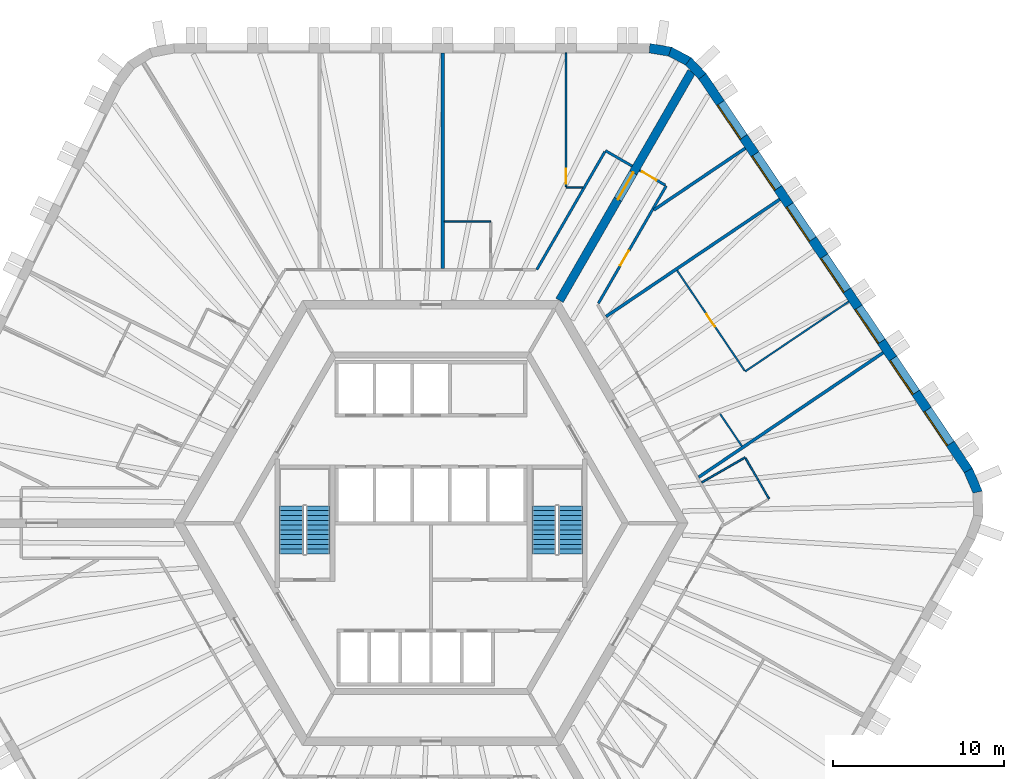
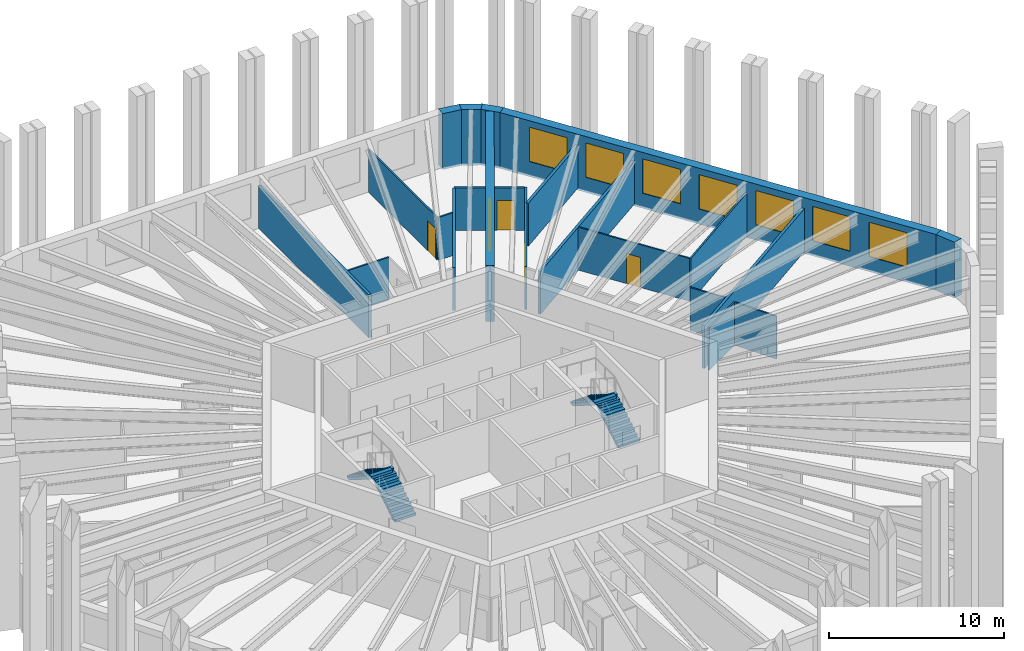
# One storey, part 8 of 9: 22 walls, 7 windows, 5 doors, 4 stair flights, 12 openings, 2 elements without a shape of their own.
"""IFC4 building model written with IfcOpenShell, lengths in metres."""

from ifc_helpers import new_model, si_unit, direction, frame, frame_2d, origin, place, context, subcontext, project, spatial, polyline, rectangle, outline, extrude, material, layer, layer_set, type_object, element, fill, aggregate, save


model = new_model("IFC4")

# Units and contexts
model_context = context("Model", 3, precision=1e-05, world=origin(), true_north=direction((0.0, 1.0)))
body_context = subcontext(model_context, "Body", "Model", "MODEL_VIEW")
ifc_project = project(units=[si_unit("LENGTHUNIT", "METRE"), si_unit("AREAUNIT", "SQUARE_METRE"), si_unit("VOLUMEUNIT", "CUBIC_METRE"), si_unit("PLANEANGLEUNIT", "RADIAN"), si_unit("MASSUNIT", "GRAM", prefix="KILO")], contexts=[model_context])

# Site, building, storey
site_placement = place(None, origin())
site = spatial("IfcSite", under=ifc_project, at=site_placement, CompositionType="ELEMENT")
building_placement = place(site_placement, origin())
building = spatial("IfcBuilding", under=site, at=building_placement, Name="Tarnside Tower", CompositionType="ELEMENT")
storey_placement = place(building_placement, frame((0.0, 0.0, 215.10009765625)))
storey = spatial("IfcBuildingStorey", under=building, at=storey_placement, Name="L51", CompositionType="ELEMENT", Elevation=215.10009765625)

# Walls
ifc_material_1 = material(Name="Gypsum board partition on steel studs", Category="steel")
ifc_layer_1 = layer(ifc_material_1, 0.10009765625)
ifc_layer_set_1 = layer_set([ifc_layer_1], Name="Bathroom wall 100")
wall_type_1 = type_object("IfcWallType", Name="Bathroom wall 100", PredefinedType="PARTITIONING", material=ifc_layer_set_1)
wall_1_placement = place(storey_placement, frame((0.772216796875, 17.60009765625, 0.0), z_axis=(0.0, 0.0, 1.0), x_axis=(1.0, 0.0, 0.0)))
element("IfcWall", 1, at=wall_1_placement, inside=storey, type_object=wall_type_1, Name="Bathroom wall 17046", PredefinedType="PARTITIONING", context=body_context, shape_type="SweptSolid", body=[
    extrude(rectangle(XDim=2.7099609375, YDim=0.10009765625, at=frame_2d((1.35498046875, 0.0))), origin(), (0.0, 0.0, 1.0), 2.98779296875),
])
wall_2_placement = place(storey_placement, frame((15.806640625, 2.3720703125, 0.0), z_axis=(0.0, 0.0, 1.0), x_axis=(0.86601045545, 0.500025890382, 0.0)))
element("IfcWall", 2, at=wall_2_placement, inside=storey, type_object=wall_type_1, Name="Bathroom wall 17089", PredefinedType="PARTITIONING", context=body_context, shape_type="SweptSolid", body=[
    extrude(rectangle(XDim=2.925048828125, YDim=0.10009765625, at=frame_2d((1.46240234375, 0.0))), origin(), (0.0, 0.0, 1.0), 2.98779296875),
])
wall_3_placement = place(storey_placement, frame((18.36474609375, 3.791259765625, 0.0), z_axis=(0.0, 0.0, 1.0), x_axis=(0.499996545922, -0.866027397988, 0.0)))
element("IfcWall", 3, at=wall_3_placement, inside=storey, type_object=wall_type_1, Name="Bathroom wall 17090", PredefinedType="PARTITIONING", context=body_context, shape_type="SweptSolid", body=[
    extrude(rectangle(XDim=2.75, YDim=0.10009765625, at=frame_2d((1.375, 0.0))), origin(), (0.0, 0.0, 1.0), 2.98779296875),
])
wall_4_placement = place(storey_placement, frame((16.886962890625, 6.36279296875, 0.0), z_axis=(0.0, 0.0, 1.0), x_axis=(0.559179660023, -0.829046505219, 0.0)))
element("IfcWall", 4, at=wall_4_placement, inside=storey, type_object=wall_type_1, Name="Bathroom wall 17095", PredefinedType="PARTITIONING", context=body_context, shape_type="SweptSolid", body=[
    extrude(rectangle(XDim=2.259765625, YDim=0.10009765625, at=frame_2d((1.1298828125, 0.0))), origin(), (0.0, 0.0, 1.0), 2.98779296875),
])

# Wall, opening, door
ifc_material_2 = material(Name="Concrete C70/85", Category="concrete")
ifc_layer_2 = layer(ifc_material_2, 0.5)
ifc_layer_set_2 = layer_set([ifc_layer_2], Name="Core wall Z2 500 C70/85")
wall_type_2 = type_object("IfcWallType", Name="Core wall Z2 500 C70/85", PredefinedType="SHEAR", material=ifc_layer_set_2)
wall_5_placement = place(storey_placement, frame((7.505615234375, 13.0, -0.150146484375), z_axis=(0.0, 0.0, 1.0), x_axis=(0.499988271576, 0.866032175087, 0.0)))
wall_5 = element("IfcWall", 5, at=wall_5_placement, inside=storey, type_object=wall_type_2, Name="L51 spine wall 1", PredefinedType="SHEAR", context=body_context, shape_type="SweptSolid", body=[
    extrude(rectangle(XDim=15.423583984375, YDim=0.5, at=frame_2d((7.7119140625, 0.0))), origin(), (0.0, 0.0, 1.0), 3.900146484375),
])
opening_1_placement = place(wall_5_placement, frame((6.811767578125, 0.0, 0.14990234375)))
opening_1 = element("IfcOpeningElement", 6, at=opening_1_placement, cuts=wall_5, Name="Opening CD-SPN", PredefinedType="OPENING", context=body_context, shape_type="SweptSolid", body=[
    extrude(rectangle(XDim=1.800048828125, YDim=2.39990234375, at=frame_2d((0.89990234375, 1.199951171875))), frame((0.0, 0.260009765625, 0.0), z_axis=(0.0, -1.0, 0.0), x_axis=(1.0, 0.0, 0.0)), (0.0, 0.0, 1.0), 0.52001953125),
])
ifc_material_3 = material(Name="Steel fire door", Category="steel")
door_type_1 = type_object("IfcDoorType", Name="Spine passage double door FD60 1800x2400", OperationType="NOTDEFINED", PredefinedType="DOOR", material=ifc_material_3)
door_1_placement = place(opening_1_placement, origin())
door_1 = element("IfcDoor", 7, at=door_1_placement, inside=storey, type_object=door_type_1, Name="L51 spine passage door 1", OperationType="DOUBLE_DOOR_SINGLE_SWING", OverallHeight=2.39990234375, OverallWidth=1.800048828125, PredefinedType="DOOR", context=body_context, shape_type="SweptSolid", body=[
    extrude(rectangle(XDim=1.800048828125, YDim=2.39990234375, at=frame_2d((0.89990234375, 1.199951171875))), frame((0.0, 0.02490234375, 0.0), z_axis=(0.0, -1.0, 0.0), x_axis=(1.0, 0.0, 0.0)), (0.0, 0.0, 1.0), 0.050048828125),
])
fill(opening_1, door_1)

# Walls
ifc_layer_3 = layer(ifc_material_1, 0.14990234375)
ifc_layer_set_3 = layer_set([ifc_layer_3], Name="Corridor wall 150 EI 60")
wall_type_3 = type_object("IfcWallType", Name="Corridor wall 150 EI 60", PredefinedType="PARTITIONING", material=ifc_layer_set_3)
wall_6_placement = place(storey_placement, frame((10.148681640625, 21.677978515625, 0.0), z_axis=(0.0, 0.0, 1.0), x_axis=(-0.499997422768, -0.866026891745, 0.0)))
element("IfcWall", 8, at=wall_6_placement, inside=storey, type_object=wall_type_3, Name="Corridor wall 17001", PredefinedType="PARTITIONING", context=body_context, shape_type="SweptSolid", body=[
    extrude(rectangle(XDim=7.94189453125, YDim=0.14990234375, at=frame_2d((3.970947265625, 0.0))), origin(), (0.0, 0.0, 1.0), 2.98779296875),
])
wall_7_placement = place(storey_placement, frame((11.744873046875, 20.8427734375, 0.0), z_axis=(0.0, 0.0, 1.0), x_axis=(-0.865989075817, 0.500062916607, 0.0)))
element("IfcWall", 9, at=wall_7_placement, inside=storey, type_object=wall_type_3, Name="Corridor wall 17004", PredefinedType="PARTITIONING", context=body_context, shape_type="SweptSolid", body=[
    extrude(rectangle(XDim=1.800048828125, YDim=0.14990234375, at=frame_2d((0.89990234375, 0.0))), origin(), (0.0, 0.0, 1.0), 2.98779296875),
])

# Wall, opening, door
wall_8_placement = place(storey_placement, frame((9.771728515625, 12.824951171875, 0.0), z_axis=(0.0, 0.0, 1.0), x_axis=(0.499989830942, 0.866031274813, 0.0)))
wall_8 = element("IfcWall", 10, at=wall_8_placement, inside=storey, type_object=wall_type_3, Name="Corridor wall 17043", PredefinedType="PARTITIONING", context=body_context, shape_type="SweptSolid", body=[
    extrude(rectangle(XDim=7.930419921875, YDim=0.14990234375, at=frame_2d((3.96533203125, 0.0))), origin(), (0.0, 0.0, 1.0), 2.98779296875),
])
opening_2_placement = place(wall_8_placement, frame((2.552001953125, 0.0, 0.0)))
opening_2 = element("IfcOpeningElement", 11, at=opening_2_placement, cuts=wall_8, Name="Opening D-E1", PredefinedType="OPENING", context=body_context, shape_type="SweptSolid", body=[
    extrude(rectangle(XDim=1.0, YDim=2.10009765625, at=frame_2d((0.5, 1.050048828125))), frame((0.0, 0.0849609375, 0.0), z_axis=(0.0, -1.0, 0.0), x_axis=(1.0, 0.0, 0.0)), (0.0, 0.0, 1.0), 0.169921875),
])
ifc_material_4 = material(Name="Timber door leaf", Category="wood")
door_type_2 = type_object("IfcDoorType", Name="Unit entrance door 1000 FD30S", OperationType="NOTDEFINED", PredefinedType="DOOR", material=ifc_material_4)
door_2_placement = place(opening_2_placement, origin())
door_2 = element("IfcDoor", 12, at=door_2_placement, inside=storey, type_object=door_type_2, Name="Unit door 17032", OperationType="SINGLE_SWING_RIGHT", OverallHeight=2.10009765625, OverallWidth=1.0, PredefinedType="DOOR", context=body_context, shape_type="SweptSolid", body=[
    extrude(rectangle(XDim=1.0, YDim=2.10009765625, at=frame_2d((0.5, 1.050048828125))), frame((0.0, 0.02490234375, 0.0), z_axis=(0.0, -1.0, 0.0), x_axis=(1.0, 0.0, 0.0)), (0.0, 0.0, 1.0), 0.050048828125),
])
fill(opening_2, door_2)

wall_9_placement = place(storey_placement, frame((13.671875, 19.73046875, 0.0), z_axis=(0.0, 0.0, 1.0), x_axis=(-0.866074815912, 0.499914405916, 0.0)))
wall_9 = element("IfcWall", 13, at=wall_9_placement, inside=storey, type_object=wall_type_3, Name="Corridor wall 17045", PredefinedType="PARTITIONING", context=body_context, shape_type="SweptSolid", body=[
    extrude(rectangle(XDim=1.724853515625, YDim=0.14990234375, at=frame_2d((0.8623046875, 0.0))), origin(), (0.0, 0.0, 1.0), 2.98779296875),
])
opening_3_placement = place(wall_9_placement, frame((0.574951171875, 0.0, 0.0)))
opening_3 = element("IfcOpeningElement", 14, at=opening_3_placement, cuts=wall_9, Name="Opening D-E1", PredefinedType="OPENING", context=body_context, shape_type="SweptSolid", body=[
    extrude(rectangle(XDim=1.0, YDim=2.10009765625, at=frame_2d((0.5, 1.050048828125))), frame((0.0, 0.0849609375, 0.0), z_axis=(0.0, -1.0, 0.0), x_axis=(1.0, 0.0, 0.0)), (0.0, 0.0, 1.0), 0.169921875),
])
door_3_placement = place(opening_3_placement, origin())
door_3 = element("IfcDoor", 15, at=door_3_placement, inside=storey, type_object=door_type_2, Name="Unit door 17033", OperationType="SINGLE_SWING_LEFT", OverallHeight=2.10009765625, OverallWidth=1.0, PredefinedType="DOOR", context=body_context, shape_type="SweptSolid", body=[
    extrude(rectangle(XDim=1.0, YDim=2.10009765625, at=frame_2d((0.5, 1.050048828125))), frame((0.0, 0.02490234375, 0.0), z_axis=(0.0, -1.0, 0.0), x_axis=(1.0, 0.0, 0.0)), (0.0, 0.0, 1.0), 0.050048828125),
])
fill(opening_3, door_3)

# Walls
ifc_layer_4 = layer(ifc_material_1, 0.179931640625)
ifc_layer_set_4 = layer_set([ifc_layer_4], Name="Demising wall 180 EI 60")
wall_type_4 = type_object("IfcWallType", Name="Demising wall 180 EI 60", PredefinedType="PARTITIONING", material=ifc_layer_set_4)
wall_10_placement = place(storey_placement, frame((0.68212890625, 27.449951171875, 0.0), z_axis=(0.0, 0.0, 1.0), x_axis=(0.0, -1.0, 0.0)))
element("IfcWall", 16, at=wall_10_placement, inside=storey, type_object=wall_type_4, Name="Demising wall 17050", PredefinedType="PARTITIONING", context=body_context, shape_type="SweptSolid", body=[
    extrude(rectangle(XDim=12.574951171875, YDim=0.179931640625, at=frame_2d((6.28759765625, 0.0))), origin(), (0.0, 0.0, 1.0), 2.98779296875),
])
wall_11_placement = place(storey_placement, frame((26.40185546875, 9.9462890625, 0.0), z_axis=(0.0, 0.0, 1.0), x_axis=(-0.829032022697, -0.559201131386, 0.0)))
element("IfcWall", 17, at=wall_11_placement, inside=storey, type_object=wall_type_4, Name="Demising wall 17092", PredefinedType="PARTITIONING", context=body_context, shape_type="SweptSolid", body=[
    extrude(rectangle(XDim=12.99462890625, YDim=0.179931640625, at=frame_2d((6.497314453125, 0.0))), origin(), (0.0, 0.0, 1.0), 2.98779296875),
])
wall_12_placement = place(storey_placement, frame((20.362548828125, 18.89990234375, 0.0), z_axis=(0.0, 0.0, 1.0), x_axis=(-0.829030622766, -0.559203206819, 0.0)))
element("IfcWall", 18, at=wall_12_placement, inside=storey, type_object=wall_type_4, Name="Demising wall 17098", PredefinedType="PARTITIONING", context=body_context, shape_type="SweptSolid", body=[
    extrude(rectangle(XDim=12.2392578125, YDim=0.179931640625, at=frame_2d((6.11962890625, 0.0))), origin(), (0.0, 0.0, 1.0), 2.98779296875),
])
wall_13_placement = place(storey_placement, frame((18.349609375, 21.88427734375, 0.0), z_axis=(0.0, 0.0, 1.0), x_axis=(-0.829047205772, -0.559178621374, 0.0)))
element("IfcWall", 19, at=wall_13_placement, inside=storey, type_object=wall_type_4, Name="Demising wall 17100", PredefinedType="PARTITIONING", context=body_context, shape_type="SweptSolid", body=[
    extrude(rectangle(XDim=6.442138671875, YDim=0.179931640625, at=frame_2d((3.22119140625, 0.0))), origin(), (0.0, 0.0, 1.0), 2.98779296875),
])
ifc_layer_5 = layer(ifc_material_1, 0.10009765625)
ifc_layer_set_5 = layer_set([ifc_layer_5], Name="Partition 100")
wall_type_5 = type_object("IfcWallType", Name="Partition 100", PredefinedType="PARTITIONING", material=ifc_layer_set_5)
wall_14_placement = place(storey_placement, frame((8.8623046875, 19.60009765625, 0.0), z_axis=(0.0, 0.0, 1.0), x_axis=(-1.0, 0.0, 0.0)))
element("IfcWall", 20, at=wall_14_placement, inside=storey, type_object=wall_type_5, Name="Partition wall 17048", PredefinedType="PARTITIONING", context=body_context, shape_type="SweptSolid", body=[
    extrude(rectangle(XDim=0.980224609375, YDim=0.10009765625, at=frame_2d((0.490234375, 0.0))), origin(), (0.0, 0.0, 1.0), 2.98779296875),
])

# Wall, opening, door
wall_15_placement = place(storey_placement, frame((7.882080078125, 19.64990234375, 0.0), z_axis=(0.0, 0.0, 1.0), x_axis=(0.0, 1.0, 0.0)))
wall_15 = element("IfcWall", 21, at=wall_15_placement, inside=storey, type_object=wall_type_5, Name="Partition wall 17049", PredefinedType="PARTITIONING", context=body_context, shape_type="SweptSolid", body=[
    extrude(rectangle(XDim=7.800048828125, YDim=0.10009765625, at=frame_2d((3.89990234375, 0.0))), origin(), (0.0, 0.0, 1.0), 2.98779296875),
])
opening_4_placement = place(wall_15_placement, frame((0.14990234375, 0.0, 0.0)))
opening_4 = element("IfcOpeningElement", 22, at=opening_4_placement, cuts=wall_15, Name="Opening D-I1", PredefinedType="OPENING", context=body_context, shape_type="SweptSolid", body=[
    extrude(rectangle(XDim=0.89990234375, YDim=2.10009765625, at=frame_2d((0.449951171875, 1.050048828125))), frame((0.0, 0.06005859375, 0.0), z_axis=(0.0, -1.0, 0.0), x_axis=(1.0, 0.0, 0.0)), (0.0, 0.0, 1.0), 0.1201171875),
])
door_type_3 = type_object("IfcDoorType", Name="Internal door 900", OperationType="NOTDEFINED", PredefinedType="DOOR", material=ifc_material_4)
door_4_placement = place(opening_4_placement, origin())
door_4 = element("IfcDoor", 23, at=door_4_placement, inside=storey, type_object=door_type_3, Name="Internal door 17003", OperationType="SINGLE_SWING_RIGHT", OverallHeight=2.10009765625, OverallWidth=0.89990234375, PredefinedType="DOOR", context=body_context, shape_type="SweptSolid", body=[
    extrude(rectangle(XDim=0.89990234375, YDim=2.10009765625, at=frame_2d((0.449951171875, 1.050048828125))), frame((0.0, 0.02490234375, 0.0), z_axis=(0.0, -1.0, 0.0), x_axis=(1.0, 0.0, 0.0)), (0.0, 0.0, 1.0), 0.050048828125),
])
fill(opening_4, door_4)

# Wall
wall_16_placement = place(storey_placement, frame((24.388671875, 12.9306640625, 0.0), z_axis=(0.0, 0.0, 1.0), x_axis=(-0.829029895244, -0.559204285383, 0.0)))
element("IfcWall", 24, at=wall_16_placement, inside=storey, type_object=wall_type_5, Name="Partition wall 17096", PredefinedType="PARTITIONING", context=body_context, shape_type="SweptSolid", body=[
    extrude(rectangle(XDim=7.291748046875, YDim=0.10009765625, at=frame_2d((3.64599609375, 0.0))), origin(), (0.0, 0.0, 1.0), 2.98779296875),
])

# Wall, opening, door
wall_17_placement = place(storey_placement, frame((18.3154296875, 8.89453125, 0.0), z_axis=(0.0, 0.0, 1.0), x_axis=(-0.559177045947, 0.829048268369, 0.0)))
wall_17 = element("IfcWall", 25, at=wall_17_placement, inside=storey, type_object=wall_type_5, Name="Partition wall 17097", PredefinedType="PARTITIONING", context=body_context, shape_type="SweptSolid", body=[
    extrude(rectangle(XDim=7.059814453125, YDim=0.10009765625, at=frame_2d((3.52978515625, 0.0))), origin(), (0.0, 0.0, 1.0), 2.98779296875),
])
opening_5_placement = place(wall_17_placement, frame((3.10009765625, 0.0, 0.0)))
opening_5 = element("IfcOpeningElement", 26, at=opening_5_placement, cuts=wall_17, Name="Opening D-I1", PredefinedType="OPENING", context=body_context, shape_type="SweptSolid", body=[
    extrude(rectangle(XDim=0.89990234375, YDim=2.10009765625, at=frame_2d((0.449951171875, 1.050048828125))), frame((0.0, 0.06005859375, 0.0), z_axis=(0.0, -1.0, 0.0), x_axis=(1.0, 0.0, 0.0)), (0.0, 0.0, 1.0), 0.1201171875),
])
door_5_placement = place(opening_5_placement, origin())
door_5 = element("IfcDoor", 27, at=door_5_placement, inside=storey, type_object=door_type_3, Name="Internal door 17031", OperationType="SINGLE_SWING_LEFT", OverallHeight=2.10009765625, OverallWidth=0.89990234375, PredefinedType="DOOR", context=body_context, shape_type="SweptSolid", body=[
    extrude(rectangle(XDim=0.89990234375, YDim=2.10009765625, at=frame_2d((0.449951171875, 1.050048828125))), frame((0.0, 0.02490234375, 0.0), z_axis=(0.0, -1.0, 0.0), x_axis=(1.0, 0.0, 0.0)), (0.0, 0.0, 1.0), 0.050048828125),
])
fill(opening_5, door_5)

# Wall
ifc_material_5 = material(Name="Facing brick", Category="masonry")
ifc_layer_6 = layer(ifc_material_5, 0.10205078125)
ifc_material_6 = material(Name="Concrete C60/75 precast", Category="concrete")
ifc_layer_7 = layer(ifc_material_6, 0.347900390625)
ifc_material_7 = material(Name="Mineral wool insulation")
ifc_layer_8 = layer(ifc_material_7, 0.10009765625)
ifc_layer_set_6 = layer_set([ifc_layer_6, ifc_layer_7, ifc_layer_8], Name="Tube wall 550 brick faced")
wall_type_6 = type_object("IfcWallType", Name="Tube wall 550 brick faced", PredefinedType="SOLIDWALL", material=ifc_layer_set_6)
wall_18_placement = place(storey_placement, frame((31.91748046875, 1.804443359375, -0.150146484375), z_axis=(0.0, 0.0, 1.0), x_axis=(-0.396225741392, 0.918153125496, 0.0)))
element("IfcWall", 28, at=wall_18_placement, inside=storey, type_object=wall_type_6, Name="Tube wall L51 F5 chord 19", PredefinedType="SOLIDWALL", context=body_context, shape_type="SweptSolid", body=[
    extrude(outline(polyline([(-0.0517578125, -0.27490234375), (1.404541015625, -0.27490234375), (1.353271484375, 0.27490234375), (0.0517578125, 0.27490234375), (-0.0517578125, -0.27490234375)])), origin(), (0.0, 0.0, 1.0), 3.900146484375),
])

# Wall, openings, windows
wall_19_placement = place(storey_placement, frame((31.37109375, 3.070556640625, -0.150146484375), z_axis=(0.0, 0.0, 1.0), x_axis=(-0.559189891278, 0.829039604297, 0.0)))
wall_19 = element("IfcWall", 29, at=wall_19_placement, inside=storey, type_object=wall_type_6, Name="Tube wall L51 F6 flush 20", PredefinedType="SOLIDWALL", context=body_context, shape_type="SweptSolid", body=[
    extrude(outline(polyline([(-0.025634765625, -0.27490234375), (27.780517578125, -0.27490234375), (27.735595703125, 0.27490234375), (0.025634765625, 0.27490234375), (-0.025634765625, -0.27490234375)])), origin(), (0.0, 0.0, 1.0), 3.900146484375),
])
opening_6_placement = place(wall_19_placement, frame((1.87890625, 0.0, 1.050048828125)))
opening_6 = element("IfcOpeningElement", 30, at=opening_6_placement, cuts=wall_19, Name="Opening WH", PredefinedType="OPENING", context=body_context, shape_type="SweptSolid", body=[
    extrude(rectangle(XDim=2.39990234375, YDim=2.39990234375, at=frame_2d((1.199951171875, 1.199951171875))), frame((0.0, 0.28515625, 0.0), z_axis=(0.0, -1.0, 0.0), x_axis=(1.0, 0.0, 0.0)), (0.0, 0.0, 1.0), 0.570068359375),
])
opening_7_placement = place(wall_19_placement, frame((5.47900390625, 0.0, 1.050048828125)))
opening_7 = element("IfcOpeningElement", 31, at=opening_7_placement, cuts=wall_19, Name="Opening WH", PredefinedType="OPENING", context=body_context, shape_type="SweptSolid", body=[
    extrude(rectangle(XDim=2.39990234375, YDim=2.39990234375, at=frame_2d((1.199951171875, 1.199951171875))), frame((0.0, 0.28515625, 0.0), z_axis=(0.0, -1.0, 0.0), x_axis=(1.0, 0.0, 0.0)), (0.0, 0.0, 1.0), 0.570068359375),
])
opening_8_placement = place(wall_19_placement, frame((9.078857421875, 0.0, 1.050048828125)))
opening_8 = element("IfcOpeningElement", 32, at=opening_8_placement, cuts=wall_19, Name="Opening WH", PredefinedType="OPENING", context=body_context, shape_type="SweptSolid", body=[
    extrude(rectangle(XDim=2.39990234375, YDim=2.39990234375, at=frame_2d((1.199951171875, 1.199951171875))), frame((0.0, 0.28515625, 0.0), z_axis=(0.0, -1.0, 0.0), x_axis=(1.0, 0.0, 0.0)), (0.0, 0.0, 1.0), 0.570068359375),
])
opening_9_placement = place(wall_19_placement, frame((12.678955078125, 0.0, 1.050048828125)))
opening_9 = element("IfcOpeningElement", 33, at=opening_9_placement, cuts=wall_19, Name="Opening WH", PredefinedType="OPENING", context=body_context, shape_type="SweptSolid", body=[
    extrude(rectangle(XDim=2.39990234375, YDim=2.39990234375, at=frame_2d((1.199951171875, 1.199951171875))), frame((0.0, 0.28515625, 0.0), z_axis=(0.0, -1.0, 0.0), x_axis=(1.0, 0.0, 0.0)), (0.0, 0.0, 1.0), 0.570068359375),
])
opening_10_placement = place(wall_19_placement, frame((16.27880859375, 0.0, 1.050048828125)))
opening_10 = element("IfcOpeningElement", 34, at=opening_10_placement, cuts=wall_19, Name="Opening WH", PredefinedType="OPENING", context=body_context, shape_type="SweptSolid", body=[
    extrude(rectangle(XDim=2.39990234375, YDim=2.39990234375, at=frame_2d((1.199951171875, 1.199951171875))), frame((0.0, 0.28515625, 0.0), z_axis=(0.0, -1.0, 0.0), x_axis=(1.0, 0.0, 0.0)), (0.0, 0.0, 1.0), 0.570068359375),
])
opening_11_placement = place(wall_19_placement, frame((19.87890625, 0.0, 1.050048828125)))
opening_11 = element("IfcOpeningElement", 35, at=opening_11_placement, cuts=wall_19, Name="Opening WH", PredefinedType="OPENING", context=body_context, shape_type="SweptSolid", body=[
    extrude(rectangle(XDim=2.39990234375, YDim=2.39990234375, at=frame_2d((1.199951171875, 1.199951171875))), frame((0.0, 0.28515625, 0.0), z_axis=(0.0, -1.0, 0.0), x_axis=(1.0, 0.0, 0.0)), (0.0, 0.0, 1.0), 0.570068359375),
])
opening_12_placement = place(wall_19_placement, frame((23.47900390625, 0.0, 1.050048828125)))
opening_12 = element("IfcOpeningElement", 36, at=opening_12_placement, cuts=wall_19, Name="Opening WH", PredefinedType="OPENING", context=body_context, shape_type="SweptSolid", body=[
    extrude(rectangle(XDim=2.39990234375, YDim=2.39990234375, at=frame_2d((1.199951171875, 1.199951171875))), frame((0.0, 0.28515625, 0.0), z_axis=(0.0, -1.0, 0.0), x_axis=(1.0, 0.0, 0.0)), (0.0, 0.0, 1.0), 0.570068359375),
])
ifc_material_8 = material(Name="Aluminium-framed double glazing", Category="aluminium")
window_type = type_object("IfcWindowType", Name="Hotel window 2400 x 2400", PartitioningType="DOUBLE_PANEL_VERTICAL", PredefinedType="WINDOW", material=ifc_material_8)
window_1_placement = place(opening_6_placement, frame((0.0, 0.205078125, 0.0)))
window_1 = element("IfcWindow", 37, at=window_1_placement, inside=storey, type_object=window_type, Name="E.WN.L51.F6.00", OverallHeight=2.39990234375, OverallWidth=2.39990234375, PartitioningType="DOUBLE_PANEL_VERTICAL", PredefinedType="WINDOW", context=body_context, shape_type="SweptSolid", body=[
    extrude(rectangle(XDim=2.39990234375, YDim=2.39990234375, at=frame_2d((1.199951171875, 1.199951171875))), frame((0.0, 0.030029296875, 0.0), z_axis=(0.0, -1.0, 0.0), x_axis=(1.0, 0.0, 0.0)), (0.0, 0.0, 1.0), 0.06005859375),
])
fill(opening_6, window_1)
window_2_placement = place(opening_7_placement, frame((0.0, 0.205078125, 0.0)))
window_2 = element("IfcWindow", 38, at=window_2_placement, inside=storey, type_object=window_type, Name="E.WN.L51.F6.01", OverallHeight=2.39990234375, OverallWidth=2.39990234375, PartitioningType="DOUBLE_PANEL_VERTICAL", PredefinedType="WINDOW", context=body_context, shape_type="SweptSolid", body=[
    extrude(rectangle(XDim=2.39990234375, YDim=2.39990234375, at=frame_2d((1.199951171875, 1.199951171875))), frame((0.0, 0.030029296875, 0.0), z_axis=(0.0, -1.0, 0.0), x_axis=(1.0, 0.0, 0.0)), (0.0, 0.0, 1.0), 0.06005859375),
])
fill(opening_7, window_2)
window_3_placement = place(opening_8_placement, frame((0.0, 0.205078125, 0.0)))
window_3 = element("IfcWindow", 39, at=window_3_placement, inside=storey, type_object=window_type, Name="E.WN.L51.F6.02", OverallHeight=2.39990234375, OverallWidth=2.39990234375, PartitioningType="DOUBLE_PANEL_VERTICAL", PredefinedType="WINDOW", context=body_context, shape_type="SweptSolid", body=[
    extrude(rectangle(XDim=2.39990234375, YDim=2.39990234375, at=frame_2d((1.199951171875, 1.199951171875))), frame((0.0, 0.030029296875, 0.0), z_axis=(0.0, -1.0, 0.0), x_axis=(1.0, 0.0, 0.0)), (0.0, 0.0, 1.0), 0.06005859375),
])
fill(opening_8, window_3)
window_4_placement = place(opening_9_placement, frame((0.0, 0.205078125, 0.0)))
window_4 = element("IfcWindow", 40, at=window_4_placement, inside=storey, type_object=window_type, Name="E.WN.L51.F6.03", OverallHeight=2.39990234375, OverallWidth=2.39990234375, PartitioningType="DOUBLE_PANEL_VERTICAL", PredefinedType="WINDOW", context=body_context, shape_type="SweptSolid", body=[
    extrude(rectangle(XDim=2.39990234375, YDim=2.39990234375, at=frame_2d((1.199951171875, 1.199951171875))), frame((0.0, 0.030029296875, 0.0), z_axis=(0.0, -1.0, 0.0), x_axis=(1.0, 0.0, 0.0)), (0.0, 0.0, 1.0), 0.06005859375),
])
fill(opening_9, window_4)
window_5_placement = place(opening_10_placement, frame((0.0, 0.205078125, 0.0)))
window_5 = element("IfcWindow", 41, at=window_5_placement, inside=storey, type_object=window_type, Name="E.WN.L51.F6.04", OverallHeight=2.39990234375, OverallWidth=2.39990234375, PartitioningType="DOUBLE_PANEL_VERTICAL", PredefinedType="WINDOW", context=body_context, shape_type="SweptSolid", body=[
    extrude(rectangle(XDim=2.39990234375, YDim=2.39990234375, at=frame_2d((1.199951171875, 1.199951171875))), frame((0.0, 0.030029296875, 0.0), z_axis=(0.0, -1.0, 0.0), x_axis=(1.0, 0.0, 0.0)), (0.0, 0.0, 1.0), 0.06005859375),
])
fill(opening_10, window_5)
window_6_placement = place(opening_11_placement, frame((0.0, 0.205078125, 0.0)))
window_6 = element("IfcWindow", 42, at=window_6_placement, inside=storey, type_object=window_type, Name="E.WN.L51.F6.05", OverallHeight=2.39990234375, OverallWidth=2.39990234375, PartitioningType="DOUBLE_PANEL_VERTICAL", PredefinedType="WINDOW", context=body_context, shape_type="SweptSolid", body=[
    extrude(rectangle(XDim=2.39990234375, YDim=2.39990234375, at=frame_2d((1.199951171875, 1.199951171875))), frame((0.0, 0.030029296875, 0.0), z_axis=(0.0, -1.0, 0.0), x_axis=(1.0, 0.0, 0.0)), (0.0, 0.0, 1.0), 0.06005859375),
])
fill(opening_11, window_6)
window_7_placement = place(opening_12_placement, frame((0.0, 0.205078125, 0.0)))
window_7 = element("IfcWindow", 43, at=window_7_placement, inside=storey, type_object=window_type, Name="E.WN.L51.F6.06", OverallHeight=2.39990234375, OverallWidth=2.39990234375, PartitioningType="DOUBLE_PANEL_VERTICAL", PredefinedType="WINDOW", context=body_context, shape_type="SweptSolid", body=[
    extrude(rectangle(XDim=2.39990234375, YDim=2.39990234375, at=frame_2d((1.199951171875, 1.199951171875))), frame((0.0, 0.030029296875, 0.0), z_axis=(0.0, -1.0, 0.0), x_axis=(1.0, 0.0, 0.0)), (0.0, 0.0, 1.0), 0.06005859375),
])
fill(opening_12, window_7)

# Walls
wall_20_placement = place(storey_placement, frame((15.84912109375, 26.0830078125, -0.150146484375), z_axis=(0.0, 0.0, 1.0), x_axis=(-0.686196220404, 0.727416488061, 0.0)))
element("IfcWall", 44, at=wall_20_placement, inside=storey, type_object=wall_type_6, Name="Tube wall L51 F6 chord 21", PredefinedType="SOLIDWALL", context=body_context, shape_type="SweptSolid", body=[
    extrude(outline(polyline([(-0.0224609375, -0.27490234375), (1.25341796875, -0.27490234375), (1.1630859375, 0.27490234375), (0.0224609375, 0.27490234375), (-0.0224609375, -0.27490234375)])), origin(), (0.0, 0.0, 1.0), 3.900146484375),
])
wall_21_placement = place(storey_placement, frame((15.02001953125, 26.9619140625, -0.150146484375), z_axis=(0.0, 0.0, 1.0), x_axis=(-0.882950818639, 0.469465495926, 0.0)))
element("IfcWall", 45, at=wall_21_placement, inside=storey, type_object=wall_type_6, Name="Tube wall L51 F6 chord 22", PredefinedType="SOLIDWALL", context=body_context, shape_type="SweptSolid", body=[
    extrude(outline(polyline([(-0.045166015625, -0.27490234375), (1.253173828125, -0.27490234375), (1.162841796875, 0.27490234375), (0.045166015625, 0.27490234375), (-0.045166015625, -0.27490234375)])), origin(), (0.0, 0.0, 1.0), 3.900146484375),
])
wall_22_placement = place(storey_placement, frame((13.953369140625, 27.529052734375, -0.150146484375), z_axis=(0.0, 0.0, 1.0), x_axis=(-0.986751945211, 0.162236243244, 0.0)))
element("IfcWall", 46, at=wall_22_placement, inside=storey, type_object=wall_type_6, Name="Tube wall L51 F6 chord 23", PredefinedType="SOLIDWALL", context=body_context, shape_type="SweptSolid", body=[
    extrude(outline(polyline([(-0.045166015625, -0.27490234375), (1.23095703125, -0.27490234375), (1.18603515625, 0.27490234375), (0.045166015625, 0.27490234375), (-0.045166015625, -0.27490234375)])), origin(), (0.0, 0.0, 1.0), 3.900146484375),
])

# Stair, stair flights
ifc_material_9 = material(Name="Concrete C40/50", Category="concrete")
stair_type = type_object("IfcStairType", Name="Exit stair 1400 clear", PredefinedType="HALF_TURN_STAIR", material=ifc_material_9)
stair_1_placement = place(storey_placement, origin())
stair_1 = element("IfcStair", 47, at=stair_1_placement, inside=storey, type_object=stair_type, Name="L51 Exit stair 1", PredefinedType="HALF_TURN_STAIR")
stair_flight_type = type_object("IfcStairFlightType", Name="Exit stair flight 1400", PredefinedType="STRAIGHT", material=ifc_material_9)
stair_flight_1_placement = place(storey_placement, frame((8.14990234375, -1.800048828125, 0.0), z_axis=(0.0, 0.0, 1.0), x_axis=(0.0, 1.0, 0.0)))
stair_flight_1 = element("IfcStairFlight", 48, at=stair_flight_1_placement, type_object=stair_flight_type, Name="ST1 flight 1", NumberOfRisers=11, NumberOfTreads=10, PredefinedType="STRAIGHT", RiserHeight=0.177272727, TreadLength=0.28, context=body_context, shape_type="SweptSolid", body=[
    extrude(outline(polyline([(0.0, 0.0), (0.0, 0.17724609375), (0.280029296875, 0.17724609375), (0.280029296875, 0.3544921875), (0.56005859375, 0.3544921875), (0.56005859375, 0.53173828125), (0.840087890625, 0.53173828125), (0.840087890625, 0.708984375), (1.1201171875, 0.708984375), (1.1201171875, 0.886474609375), (1.39990234375, 0.886474609375), (1.39990234375, 1.063720703125), (1.679931640625, 1.063720703125), (1.679931640625, 1.240966796875), (1.9599609375, 1.240966796875), (1.9599609375, 1.418212890625), (2.239990234375, 1.418212890625), (2.239990234375, 1.595458984375), (2.52001953125, 1.595458984375), (2.52001953125, 1.772705078125), (2.800048828125, 1.772705078125), (2.800048828125, 1.949951171875), (2.800048828125, 1.59521484375), (0.2802734375, 0.0), (0.0, 0.0)])), frame((0.0, 0.699951171875, 0.0), z_axis=(0.0, -1.0, 0.0), x_axis=(1.0, 0.0, 0.0)), (0.0, 0.0, 1.0), 1.39990234375),
])
stair_flight_2_placement = place(storey_placement, frame((6.60009765625, 1.0, 1.949951171875), z_axis=(0.0, 0.0, 1.0), x_axis=(0.0, -1.0, 0.0)))
stair_flight_2 = element("IfcStairFlight", 49, at=stair_flight_2_placement, type_object=stair_flight_type, Name="ST1 flight 2", NumberOfRisers=11, NumberOfTreads=10, PredefinedType="STRAIGHT", RiserHeight=0.177272727, TreadLength=0.28, context=body_context, shape_type="SweptSolid", body=[
    extrude(outline(polyline([(0.0, 0.0), (0.0, 0.17724609375), (0.280029296875, 0.17724609375), (0.280029296875, 0.3544921875), (0.56005859375, 0.3544921875), (0.56005859375, 0.53173828125), (0.840087890625, 0.53173828125), (0.840087890625, 0.708984375), (1.1201171875, 0.708984375), (1.1201171875, 0.886474609375), (1.39990234375, 0.886474609375), (1.39990234375, 1.063720703125), (1.679931640625, 1.063720703125), (1.679931640625, 1.240966796875), (1.9599609375, 1.240966796875), (1.9599609375, 1.418212890625), (2.239990234375, 1.418212890625), (2.239990234375, 1.595458984375), (2.52001953125, 1.595458984375), (2.52001953125, 1.772705078125), (2.800048828125, 1.772705078125), (2.800048828125, 1.949951171875), (2.800048828125, 1.59521484375), (0.2802734375, 0.0), (0.0, 0.0)])), frame((0.0, 0.699951171875, 0.0), z_axis=(0.0, -1.0, 0.0), x_axis=(1.0, 0.0, 0.0)), (0.0, 0.0, 1.0), 1.39990234375),
])
aggregate(stair_1, [stair_flight_1, stair_flight_2])

stair_2_placement = place(storey_placement, origin())
stair_2 = element("IfcStair", 50, at=stair_2_placement, inside=storey, type_object=stair_type, Name="L51 Exit stair 2", PredefinedType="HALF_TURN_STAIR")
stair_flight_3_placement = place(storey_placement, frame((-6.60009765625, -1.800048828125, 0.0), z_axis=(0.0, 0.0, 1.0), x_axis=(0.0, 1.0, 0.0)))
stair_flight_3 = element("IfcStairFlight", 51, at=stair_flight_3_placement, type_object=stair_flight_type, Name="ST2 flight 1", NumberOfRisers=11, NumberOfTreads=10, PredefinedType="STRAIGHT", RiserHeight=0.177272727, TreadLength=0.28, context=body_context, shape_type="SweptSolid", body=[
    extrude(outline(polyline([(0.0, 0.0), (0.0, 0.17724609375), (0.280029296875, 0.17724609375), (0.280029296875, 0.3544921875), (0.56005859375, 0.3544921875), (0.56005859375, 0.53173828125), (0.840087890625, 0.53173828125), (0.840087890625, 0.708984375), (1.1201171875, 0.708984375), (1.1201171875, 0.886474609375), (1.39990234375, 0.886474609375), (1.39990234375, 1.063720703125), (1.679931640625, 1.063720703125), (1.679931640625, 1.240966796875), (1.9599609375, 1.240966796875), (1.9599609375, 1.418212890625), (2.239990234375, 1.418212890625), (2.239990234375, 1.595458984375), (2.52001953125, 1.595458984375), (2.52001953125, 1.772705078125), (2.800048828125, 1.772705078125), (2.800048828125, 1.949951171875), (2.800048828125, 1.59521484375), (0.2802734375, 0.0), (0.0, 0.0)])), frame((0.0, 0.699951171875, 0.0), z_axis=(0.0, -1.0, 0.0), x_axis=(1.0, 0.0, 0.0)), (0.0, 0.0, 1.0), 1.39990234375),
])
stair_flight_4_placement = place(storey_placement, frame((-8.14990234375, 1.0, 1.949951171875), z_axis=(0.0, 0.0, 1.0), x_axis=(0.0, -1.0, 0.0)))
stair_flight_4 = element("IfcStairFlight", 52, at=stair_flight_4_placement, type_object=stair_flight_type, Name="ST2 flight 2", NumberOfRisers=11, NumberOfTreads=10, PredefinedType="STRAIGHT", RiserHeight=0.177272727, TreadLength=0.28, context=body_context, shape_type="SweptSolid", body=[
    extrude(outline(polyline([(0.0, 0.0), (0.0, 0.17724609375), (0.280029296875, 0.17724609375), (0.280029296875, 0.3544921875), (0.56005859375, 0.3544921875), (0.56005859375, 0.53173828125), (0.840087890625, 0.53173828125), (0.840087890625, 0.708984375), (1.1201171875, 0.708984375), (1.1201171875, 0.886474609375), (1.39990234375, 0.886474609375), (1.39990234375, 1.063720703125), (1.679931640625, 1.063720703125), (1.679931640625, 1.240966796875), (1.9599609375, 1.240966796875), (1.9599609375, 1.418212890625), (2.239990234375, 1.418212890625), (2.239990234375, 1.595458984375), (2.52001953125, 1.595458984375), (2.52001953125, 1.772705078125), (2.800048828125, 1.772705078125), (2.800048828125, 1.949951171875), (2.800048828125, 1.59521484375), (0.2802734375, 0.0), (0.0, 0.0)])), frame((0.0, 0.699951171875, 0.0), z_axis=(0.0, -1.0, 0.0), x_axis=(1.0, 0.0, 0.0)), (0.0, 0.0, 1.0), 1.39990234375),
])
aggregate(stair_2, [stair_flight_3, stair_flight_4])

save(model, "model.ifc")
